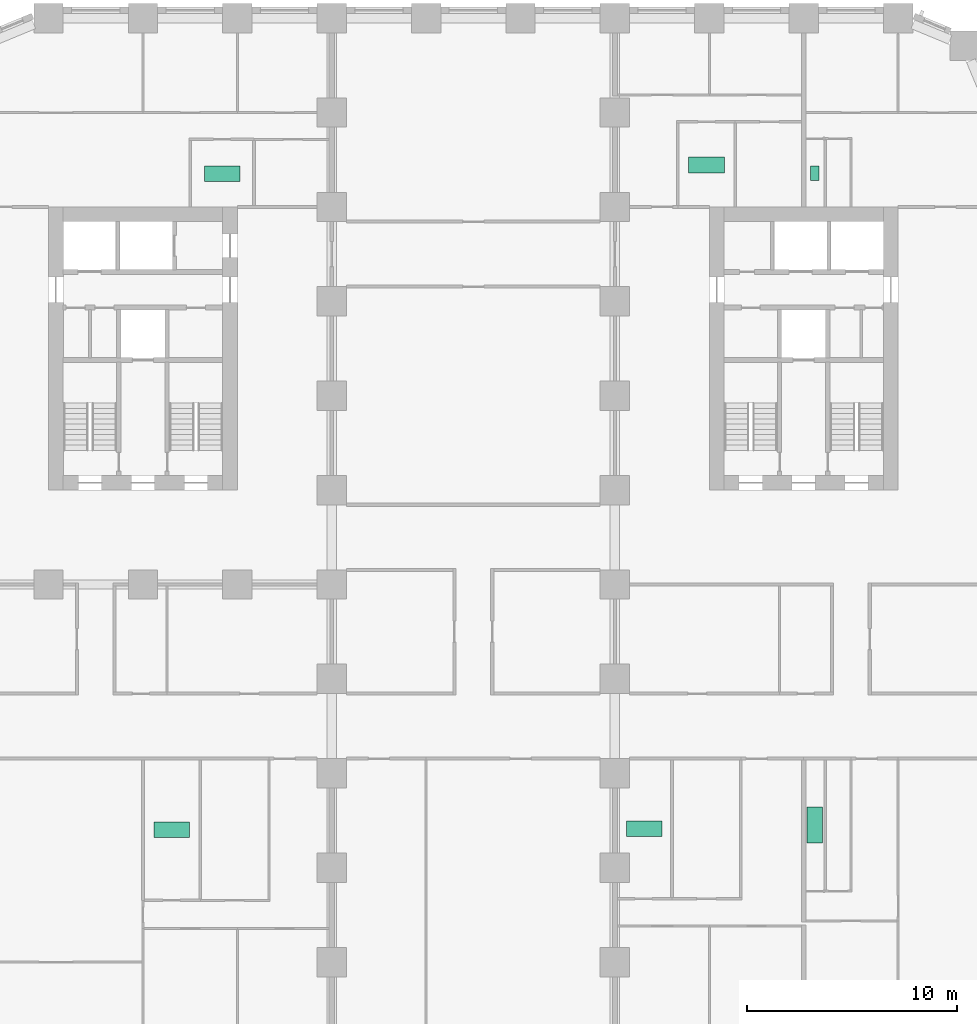
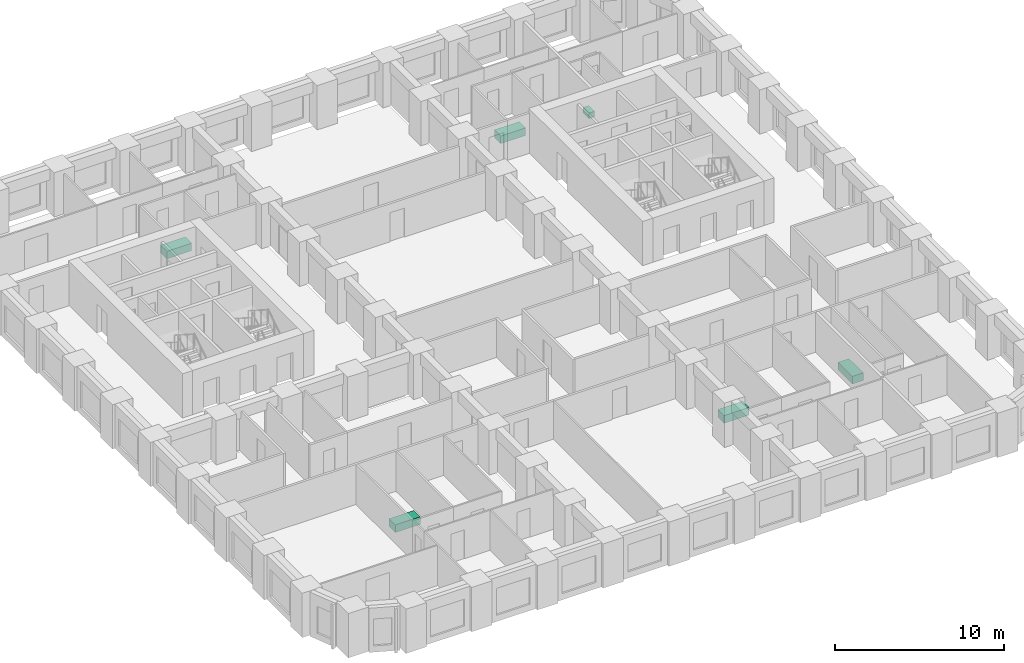
# One storey, part 12 of 12: 6 sanitary terminals.
"""IFC4 building model written with IfcOpenShell, lengths in metres."""

from ifc_helpers import new_model, si_unit, direction, frame, origin, origin_2d, place, context, subcontext, project, spatial, rectangle, extrude, material, type_object, element, save


model = new_model("IFC4")

# Units and contexts
model_context = context("Model", 3, precision=1e-05, world=origin(), true_north=direction((0.0, 1.0)))
body_context = subcontext(model_context, "Body", "Model", "MODEL_VIEW")
ifc_project = project(units=[si_unit("LENGTHUNIT", "METRE"), si_unit("AREAUNIT", "SQUARE_METRE"), si_unit("VOLUMEUNIT", "CUBIC_METRE"), si_unit("PLANEANGLEUNIT", "RADIAN"), si_unit("MASSUNIT", "GRAM", prefix="KILO")], contexts=[model_context])

# Site, building, storey
site_placement = place(None, origin())
site = spatial("IfcSite", under=ifc_project, at=site_placement, CompositionType="ELEMENT")
building_placement = place(site_placement, origin())
building = spatial("IfcBuilding", under=site, at=building_placement, Name="Girih Gate Residences", CompositionType="ELEMENT")
storey_placement = place(building_placement, frame((0.0, 0.0, 68.800048828125)))
storey = spatial("IfcBuildingStorey", under=building, at=storey_placement, Name="L18", CompositionType="ELEMENT", Elevation=68.800048828125)

# Sanitary terminals
ifc_material_1 = material(Name="Acrylic")
sanitary_terminal_type_1 = type_object("IfcSanitaryTerminalType", Name="Bath 1700", PredefinedType="BATH", material=ifc_material_1)
for number, where, z_axis, x_axis, name in (
    (1, (10.365966796875, 10.81396484375, 0.0), (0.0, 0.0, 1.0), (1.0, 0.0, 0.0), "Bath 1700 L18"),
    (2, (12.77294921875, 42.0791015625, 0.0), (0.0, 0.0, 1.0), (1.0, 0.0, 0.0), "Bath 1700 L18"),
):
    element("IfcSanitaryTerminal", number, at=place(storey_placement, frame(where, z_axis=z_axis, x_axis=x_axis)), inside=storey, type_object=sanitary_terminal_type_1, Name=name, PredefinedType="BATH", context=body_context, shape_type="SweptSolid", body=[
        extrude(rectangle(XDim=1.699951171875, YDim=0.75, at=origin_2d()), origin(), (0.0, 0.0, 1.0), 0.550048828125),
    ])
sanitary_terminal_1_placement = place(storey_placement, frame((41.030029296875, 11.033935546875, 0.0), z_axis=(0.0, 0.0, 1.0), x_axis=(1.0, 0.0, 0.0)))
element("IfcSanitaryTerminal", 3, at=sanitary_terminal_1_placement, inside=storey, type_object=sanitary_terminal_type_1, Name="Bath 1700 L18", PredefinedType="BATH", context=body_context, shape_type="SweptSolid", body=[
    extrude(rectangle(XDim=0.75, YDim=1.699951171875, at=origin_2d()), origin(), (0.0, 0.0, 1.0), 0.550048828125),
])
for number, where, z_axis, x_axis, name in (
    (4, (32.89111328125, 10.85400390625, 0.0), (0.0, 0.0, 1.0), (1.0, 0.0, 0.0), "Bath 1700 L18"),
    (5, (35.864990234375, 42.4990234375, 0.0), (0.0, 0.0, 1.0), (1.0, 0.0, 0.0), "Bath 1700 L18"),
):
    element("IfcSanitaryTerminal", number, at=place(storey_placement, frame(where, z_axis=z_axis, x_axis=x_axis)), inside=storey, type_object=sanitary_terminal_type_1, Name=name, PredefinedType="BATH", context=body_context, shape_type="SweptSolid", body=[
        extrude(rectangle(XDim=1.699951171875, YDim=0.75, at=origin_2d()), origin(), (0.0, 0.0, 1.0), 0.550048828125),
    ])
ifc_material_2 = material(Name="Vitreous china")
sanitary_terminal_type_2 = type_object("IfcSanitaryTerminalType", Name="WC pan", PredefinedType="TOILETPAN", material=ifc_material_2)
sanitary_terminal_2_placement = place(storey_placement, frame((41.030029296875, 42.09912109375, 0.0), z_axis=(0.0, 0.0, 1.0), x_axis=(1.0, 0.0, 0.0)))
element("IfcSanitaryTerminal", 6, at=sanitary_terminal_2_placement, inside=storey, type_object=sanitary_terminal_type_2, Name="WC pan L18", PredefinedType="TOILETPAN", context=body_context, shape_type="SweptSolid", body=[
    extrude(rectangle(XDim=0.39990234375, YDim=0.699951171875, at=origin_2d()), origin(), (0.0, 0.0, 1.0), 0.39990234375),
])

save(model, "model.ifc")
